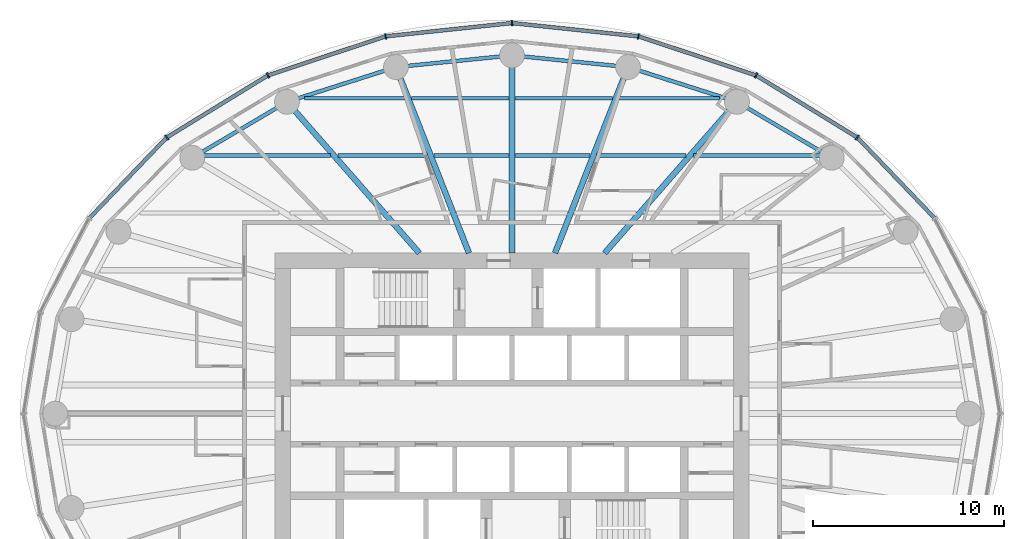
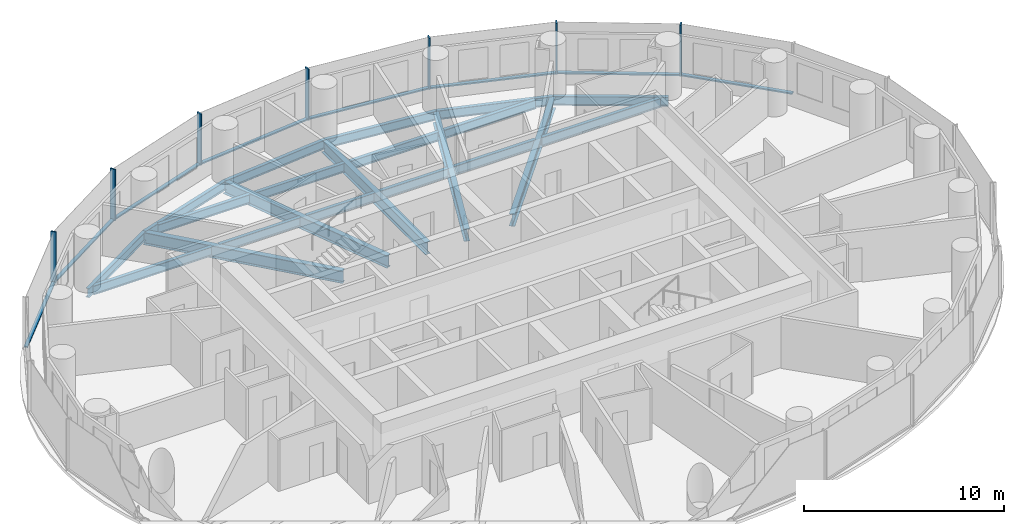
# One storey, part 4 of 13: 21 beams, 15 members, 2 elements without a shape of their own.
"""IFC4 building model written with IfcOpenShell, lengths in metres."""

from ifc_helpers import new_model, si_unit, direction, frame, origin, origin_2d, place, context, subcontext, project, spatial, rectangle, i_section, extrude, material, material_profile, profile_set, type_object, element, aggregate, save


model = new_model("IFC4")

# Units and contexts
model_context = context("Model", 3, precision=1e-05, world=origin(), true_north=direction((0.0, 1.0)))
body_context = subcontext(model_context, "Body", "Model", "MODEL_VIEW")
ifc_project = project(units=[si_unit("LENGTHUNIT", "METRE"), si_unit("AREAUNIT", "SQUARE_METRE"), si_unit("VOLUMEUNIT", "CUBIC_METRE"), si_unit("PLANEANGLEUNIT", "RADIAN"), si_unit("MASSUNIT", "GRAM", prefix="KILO")], contexts=[model_context])

# Site, building, storey
site_placement = place(None, origin())
site = spatial("IfcSite", under=ifc_project, at=site_placement, CompositionType="ELEMENT")
building_placement = place(site_placement, origin())
building = spatial("IfcBuilding", under=site, at=building_placement, Name="Hankou Lantern Tower", CompositionType="ELEMENT")
storey_placement = place(building_placement, frame((0.0, 0.0, 125.39990234375)))
storey = spatial("IfcBuildingStorey", under=building, at=storey_placement, Name="L32", CompositionType="ELEMENT", Elevation=125.39990234375)

# Beams
ifc_material_1 = material(Name="Steel Q355B", Category="steel")
ifc_material_profile_1 = material_profile(ifc_material_1, i_section(OverallWidth=0.199951171875, OverallDepth=0.550048828125, WebThickness=0.010009765625, FlangeThickness=0.01611328125, FilletRadius=0.012939453125, at=origin_2d()), Name="HN550x200x10x16")
ifc_profile_set_1 = profile_set([ifc_material_profile_1], Name="Steel Q355B")
beam_type_1 = type_object("IfcBeamType", Name="EB6 RING BEAM HN550x200x10x16", PredefinedType="SPANDREL", material=ifc_profile_set_1)
beam_1_placement = place(storey_placement, frame((16.73388671875, 13.38720703125, -0.454833984375), z_axis=(-0.860988974188, 0.508623619513, 0.0), x_axis=(-0.508623619513, -0.860988974188, 0.0)))
element("IfcBeam", 1, at=beam_1_placement, inside=storey, type_object=beam_type_1, Name="Ring beam R04-R05 L32", PredefinedType="SPANDREL", context=body_context, shape_type="SweptSolid", body=[
    extrude(i_section(OverallWidth=0.199951171875, OverallDepth=0.550048828125, WebThickness=0.010009765625, FlangeThickness=0.01611328125, FilletRadius=0.012939453125, at=origin_2d()), origin(), (0.0, 0.0, 1.0), 5.759033203125),
])
beam_2_placement = place(storey_placement, frame((11.775390625, 16.31640625, -0.454833984375), z_axis=(-0.952731090451, 0.303814860215, 0.0), x_axis=(-0.303814860215, -0.952731090451, 0.0)))
element("IfcBeam", 2, at=beam_2_placement, inside=storey, type_object=beam_type_1, Name="Ring beam R05-R06 L32", PredefinedType="SPANDREL", context=body_context, shape_type="SweptSolid", body=[
    extrude(i_section(OverallWidth=0.199951171875, OverallDepth=0.550048828125, WebThickness=0.010009765625, FlangeThickness=0.01611328125, FilletRadius=0.012939453125, at=origin_2d()), origin(), (0.0, 0.0, 1.0), 5.984375),
])
for number, where, z_axis, x_axis, name in (
    (3, (6.073974609375, 18.134521484375, -0.454833984375), (-0.994905271594, 0.100814188259, 0.0), (-0.100814188259, -0.994905271594, 0.0), "Ring beam R06-R07 L32"),
    (4, (0.0, 18.75, -0.454833984375), (-0.994905271594, -0.100814188259, 0.0), (0.100814188259, -0.994905271594, 0.0), "Ring beam R07-R08 L32"),
):
    element("IfcBeam", number, at=place(storey_placement, frame(where, z_axis=z_axis, x_axis=x_axis)), inside=storey, type_object=beam_type_1, Name=name, PredefinedType="SPANDREL", context=body_context, shape_type="SweptSolid", body=[
        extrude(i_section(OverallWidth=0.199951171875, OverallDepth=0.550048828125, WebThickness=0.010009765625, FlangeThickness=0.01611328125, FilletRadius=0.012939453125, at=origin_2d()), origin(), (0.0, 0.0, 1.0), 6.10498046875),
    ])
beam_3_placement = place(storey_placement, frame((-6.073974609375, 18.134521484375, -0.454833984375), z_axis=(-0.952731090451, -0.303814860215, 0.0), x_axis=(0.303814860215, -0.952731090451, 0.0)))
element("IfcBeam", 5, at=beam_3_placement, inside=storey, type_object=beam_type_1, Name="Ring beam R08-R09 L32", PredefinedType="SPANDREL", context=body_context, shape_type="SweptSolid", body=[
    extrude(i_section(OverallWidth=0.199951171875, OverallDepth=0.550048828125, WebThickness=0.010009765625, FlangeThickness=0.01611328125, FilletRadius=0.012939453125, at=origin_2d()), origin(), (0.0, 0.0, 1.0), 5.984375),
])
beam_4_placement = place(storey_placement, frame((-11.775390625, 16.31640625, -0.454833984375), z_axis=(-0.860988974188, -0.508623619513, 0.0), x_axis=(0.508623619513, -0.860988974188, 0.0)))
element("IfcBeam", 6, at=beam_4_placement, inside=storey, type_object=beam_type_1, Name="Ring beam R09-R10 L32", PredefinedType="SPANDREL", context=body_context, shape_type="SweptSolid", body=[
    extrude(i_section(OverallWidth=0.199951171875, OverallDepth=0.550048828125, WebThickness=0.010009765625, FlangeThickness=0.01611328125, FilletRadius=0.012939453125, at=origin_2d()), origin(), (0.0, 0.0, 1.0), 5.759033203125),
])

# Curtain wall, members
ifc_material_2 = material(Name="Glass, dark grey tinted laminated", Category="glass")
curtain_wall_type = type_object("IfcCurtainWallType", Name="CWB OUTER SKIN MID-RISE", PredefinedType="USERDEFINED", material=ifc_material_2)
curtain_wall_1_placement = place(storey_placement, origin())
curtain_wall_1 = element("IfcCurtainWall", 7, at=curtain_wall_1_placement, inside=storey, type_object=curtain_wall_type, Name="CWB L32 OS1", ObjectType="OUTER SKIN MID-RISE", PredefinedType="USERDEFINED")
ifc_material_3 = material(Name="Aluminium, black anodised", Category="aluminium")
ifc_material_profile_2 = material_profile(ifc_material_3, rectangle(XDim=0.080078125, YDim=0.300048828125, at=origin_2d()), Name="MU1 80X300")
ifc_profile_set_2 = profile_set([ifc_material_profile_2], Name="Aluminium, black anodised")
member_type_1 = type_object("IfcMemberType", Name="MU1 OUTER SKIN MULLION 80X300", PredefinedType="MULLION", material=ifc_profile_set_2)
member_1_placement = place(storey_placement, frame((18.066650390625, 14.453369140625, 0.0), z_axis=(0.0, 0.0, 1.0), x_axis=(-0.780868809444, 0.624695047553, 0.0)))
member_1 = element("IfcMember", 8, at=member_1_placement, type_object=member_type_1, Name="CWB mullion 4", PredefinedType="MULLION", context=body_context, shape_type="SweptSolid", body=[
    extrude(rectangle(XDim=0.080078125, YDim=0.300048828125, at=origin_2d()), origin(), (0.0, 0.0, 1.0), 3.1201171875),
])
member_2_placement = place(storey_placement, frame((12.77490234375, 17.70166015625, 0.0), z_axis=(0.0, 0.0, 1.0), x_axis=(-0.907841299004, 0.419313934686, 0.0)))
member_2 = element("IfcMember", 9, at=member_2_placement, type_object=member_type_1, Name="CWB mullion 5", PredefinedType="MULLION", context=body_context, shape_type="SweptSolid", body=[
    extrude(rectangle(XDim=0.080078125, YDim=0.300048828125, at=origin_2d()), origin(), (0.0, 0.0, 1.0), 3.1201171875),
])
member_3_placement = place(storey_placement, frame((6.61279296875, 19.743408203125, 0.0), z_axis=(0.0, 0.0, 1.0), x_axis=(-0.977787659625, 0.209597931016, 0.0)))
member_3 = element("IfcMember", 10, at=member_3_placement, type_object=member_type_1, Name="CWB mullion 6", PredefinedType="MULLION", context=body_context, shape_type="SweptSolid", body=[
    extrude(rectangle(XDim=0.080078125, YDim=0.300048828125, at=origin_2d()), origin(), (0.0, 0.0, 1.0), 3.1201171875),
])

curtain_wall_2_placement = place(storey_placement, origin())
curtain_wall_2 = element("IfcCurtainWall", 11, at=curtain_wall_2_placement, inside=storey, type_object=curtain_wall_type, Name="CWB L32 OS2", ObjectType="OUTER SKIN MID-RISE", PredefinedType="USERDEFINED")
member_4_placement = place(storey_placement, frame((0.0, 20.43994140625, 0.0), z_axis=(0.0, 0.0, 1.0), x_axis=(-0.994499359107, -0.104742659579, 0.0)))
member_4 = element("IfcMember", 12, at=member_4_placement, type_object=member_type_1, Name="CWB mullion 1", PredefinedType="MULLION", context=body_context, shape_type="SweptSolid", body=[
    extrude(rectangle(XDim=0.080078125, YDim=0.300048828125, at=origin_2d()), origin(), (0.0, 0.0, 1.0), 3.1201171875),
])
member_5_placement = place(storey_placement, frame((-6.61279296875, 19.743408203125, 0.0), z_axis=(0.0, 0.0, 1.0), x_axis=(-0.977787659625, -0.209597931016, 0.0)))
member_5 = element("IfcMember", 13, at=member_5_placement, type_object=member_type_1, Name="CWB mullion 2", PredefinedType="MULLION", context=body_context, shape_type="SweptSolid", body=[
    extrude(rectangle(XDim=0.080078125, YDim=0.300048828125, at=origin_2d()), origin(), (0.0, 0.0, 1.0), 3.1201171875),
])
member_6_placement = place(storey_placement, frame((-12.77490234375, 17.70166015625, 0.0), z_axis=(0.0, 0.0, 1.0), x_axis=(-0.907841299004, -0.419313934686, 0.0)))
member_6 = element("IfcMember", 14, at=member_6_placement, type_object=member_type_1, Name="CWB mullion 3", PredefinedType="MULLION", context=body_context, shape_type="SweptSolid", body=[
    extrude(rectangle(XDim=0.080078125, YDim=0.300048828125, at=origin_2d()), origin(), (0.0, 0.0, 1.0), 3.1201171875),
])
member_7_placement = place(storey_placement, frame((-18.066650390625, 14.453369140625, 0.0), z_axis=(0.0, 0.0, 1.0), x_axis=(-0.780868809444, -0.624695047553, 0.0)))
member_7 = element("IfcMember", 15, at=member_7_placement, type_object=member_type_1, Name="CWB mullion 4", PredefinedType="MULLION", context=body_context, shape_type="SweptSolid", body=[
    extrude(rectangle(XDim=0.080078125, YDim=0.300048828125, at=origin_2d()), origin(), (0.0, 0.0, 1.0), 3.1201171875),
])

# Beams
ifc_material_4 = material(Name="Steel Q355B", Category="steel")
ifc_material_profile_3 = material_profile(ifc_material_4, i_section(OverallWidth=0.300048828125, OverallDepth=0.75, WebThickness=0.012939453125, FlangeThickness=0.02392578125, FilletRadius=0.01806640625, at=origin_2d()), Name="HN750x300x13x24")
ifc_profile_set_3 = profile_set([ifc_material_profile_3], Name="Steel Q355B")
beam_type_2 = type_object("IfcBeamType", Name="RB10 RADIAL BEAM HN750x300x13x24", PredefinedType="BEAM", material=ifc_profile_set_3)
beam_5_placement = place(storey_placement, frame((4.849853515625, 8.39990234375, -0.554931640625), z_axis=(0.658429014446, 0.752642832249, 0.0), x_axis=(-0.752642832249, 0.658429014446, 0.0)))
element("IfcBeam", 16, at=beam_5_placement, inside=storey, type_object=beam_type_2, Name="Radial beam R05 L32", PredefinedType="BEAM", context=body_context, shape_type="SweptSolid", body=[
    extrude(i_section(OverallWidth=0.300048828125, OverallDepth=0.75, WebThickness=0.012939453125, FlangeThickness=0.02392578125, FilletRadius=0.01806640625, at=origin_2d()), origin(), (0.0, 0.0, 1.0), 10.518310546875),
])
beam_6_placement = place(storey_placement, frame((2.250732421875, 8.39990234375, -0.554931640625), z_axis=(0.365563535437, 0.930786388791, 0.0), x_axis=(-0.930786388791, 0.365563535437, 0.0)))
element("IfcBeam", 17, at=beam_6_placement, inside=storey, type_object=beam_type_2, Name="Radial beam R06 L32", PredefinedType="BEAM", context=body_context, shape_type="SweptSolid", body=[
    extrude(i_section(OverallWidth=0.300048828125, OverallDepth=0.75, WebThickness=0.012939453125, FlangeThickness=0.02392578125, FilletRadius=0.01806640625, at=origin_2d()), origin(), (0.0, 0.0, 1.0), 10.45849609375),
])
beam_7_placement = place(storey_placement, frame((0.0, 8.39990234375, -0.554931640625), z_axis=(0.0, 1.0, 0.0), x_axis=(-1.0, 0.0, 0.0)))
element("IfcBeam", 18, at=beam_7_placement, inside=storey, type_object=beam_type_2, Name="Radial beam R07 L32", PredefinedType="BEAM", context=body_context, shape_type="SweptSolid", body=[
    extrude(i_section(OverallWidth=0.300048828125, OverallDepth=0.75, WebThickness=0.012939453125, FlangeThickness=0.02392578125, FilletRadius=0.01806640625, at=origin_2d()), origin(), (0.0, 0.0, 1.0), 10.35009765625),
])
beam_8_placement = place(storey_placement, frame((-2.250732421875, 8.39990234375, -0.554931640625), z_axis=(-0.365563535437, 0.930786388791, 0.0), x_axis=(-0.930786388791, -0.365563535437, 0.0)))
element("IfcBeam", 19, at=beam_8_placement, inside=storey, type_object=beam_type_2, Name="Radial beam R08 L32", PredefinedType="BEAM", context=body_context, shape_type="SweptSolid", body=[
    extrude(i_section(OverallWidth=0.300048828125, OverallDepth=0.75, WebThickness=0.012939453125, FlangeThickness=0.02392578125, FilletRadius=0.01806640625, at=origin_2d()), origin(), (0.0, 0.0, 1.0), 10.45849609375),
])
beam_9_placement = place(storey_placement, frame((-4.849853515625, 8.39990234375, -0.554931640625), z_axis=(-0.658429014446, 0.752642832249, 0.0), x_axis=(-0.752642832249, -0.658429014446, 0.0)))
element("IfcBeam", 20, at=beam_9_placement, inside=storey, type_object=beam_type_2, Name="Radial beam R09 L32", PredefinedType="BEAM", context=body_context, shape_type="SweptSolid", body=[
    extrude(i_section(OverallWidth=0.300048828125, OverallDepth=0.75, WebThickness=0.012939453125, FlangeThickness=0.02392578125, FilletRadius=0.01806640625, at=origin_2d()), origin(), (0.0, 0.0, 1.0), 10.518310546875),
])
ifc_material_5 = material(Name="Steel Q355B", Category="steel")
ifc_material_profile_4 = material_profile(ifc_material_5, i_section(OverallWidth=0.199951171875, OverallDepth=0.550048828125, WebThickness=0.010009765625, FlangeThickness=0.01611328125, FilletRadius=0.012939453125, at=origin_2d()), Name="HN550x200x10x16")
ifc_profile_set_4 = profile_set([ifc_material_profile_4], Name="Steel Q355B")
beam_type_3 = type_object("IfcBeamType", Name="SB6 SECONDARY BEAM HN550x200x10x16", PredefinedType="JOIST", material=ifc_profile_set_4)
beam_10_placement = place(storey_placement, frame((-16.34619140625, 13.5, -0.454833984375), z_axis=(1.0, 0.0, 0.0), x_axis=(0.0, 1.0, 0.0)))
element("IfcBeam", 21, at=beam_10_placement, inside=storey, type_object=beam_type_3, Name="Floor joist J043 L32", PredefinedType="JOIST", context=body_context, shape_type="SweptSolid", body=[
    extrude(i_section(OverallWidth=0.199951171875, OverallDepth=0.550048828125, WebThickness=0.010009765625, FlangeThickness=0.01611328125, FilletRadius=0.012939453125, at=origin_2d()), origin(), (0.0, 0.0, 1.0), 6.83544921875),
])
beam_11_placement = place(storey_placement, frame((-9.112060546875, 13.5, -0.454833984375), z_axis=(1.0, 0.0, 0.0), x_axis=(0.0, 1.0, 0.0)))
element("IfcBeam", 22, at=beam_11_placement, inside=storey, type_object=beam_type_3, Name="Floor joist J044 L32", PredefinedType="JOIST", context=body_context, shape_type="SweptSolid", body=[
    extrude(i_section(OverallWidth=0.199951171875, OverallDepth=0.550048828125, WebThickness=0.010009765625, FlangeThickness=0.01611328125, FilletRadius=0.012939453125, at=origin_2d()), origin(), (0.0, 0.0, 1.0), 4.697021484375),
])
for number, where, z_axis, x_axis, name in (
    (23, (-4.092529296875, 13.5, -0.454833984375), (1.0, 0.0, 0.0), (0.0, 1.0, 0.0), "Floor joist J045 L32"),
    (24, (0.14990234375, 13.5, -0.454833984375), (1.0, 0.0, 0.0), (0.0, 1.0, 0.0), "Floor joist J046 L32"),
):
    element("IfcBeam", number, at=place(storey_placement, frame(where, z_axis=z_axis, x_axis=x_axis)), inside=storey, type_object=beam_type_3, Name=name, PredefinedType="JOIST", context=body_context, shape_type="SweptSolid", body=[
        extrude(i_section(OverallWidth=0.199951171875, OverallDepth=0.550048828125, WebThickness=0.010009765625, FlangeThickness=0.01611328125, FilletRadius=0.012939453125, at=origin_2d()), origin(), (0.0, 0.0, 1.0), 3.942626953125),
    ])
beam_12_placement = place(storey_placement, frame((4.4150390625, 13.5, -0.454833984375), z_axis=(1.0, 0.0, 0.0), x_axis=(0.0, 1.0, 0.0)))
element("IfcBeam", 25, at=beam_12_placement, inside=storey, type_object=beam_type_3, Name="Floor joist J047 L32", PredefinedType="JOIST", context=body_context, shape_type="SweptSolid", body=[
    extrude(i_section(OverallWidth=0.199951171875, OverallDepth=0.550048828125, WebThickness=0.010009765625, FlangeThickness=0.01611328125, FilletRadius=0.012939453125, at=origin_2d()), origin(), (0.0, 0.0, 1.0), 4.697021484375),
])
beam_13_placement = place(storey_placement, frame((9.5107421875, 13.5, -0.454833984375), z_axis=(1.0, 0.0, 0.0), x_axis=(0.0, 1.0, 0.0)))
element("IfcBeam", 26, at=beam_13_placement, inside=storey, type_object=beam_type_3, Name="Floor joist J048 L32", PredefinedType="JOIST", context=body_context, shape_type="SweptSolid", body=[
    extrude(i_section(OverallWidth=0.199951171875, OverallDepth=0.550048828125, WebThickness=0.010009765625, FlangeThickness=0.01611328125, FilletRadius=0.012939453125, at=origin_2d()), origin(), (0.0, 0.0, 1.0), 6.83544921875),
])
beam_14_placement = place(storey_placement, frame((-10.8701171875, 16.5, -0.454833984375), z_axis=(1.0, 0.0, 0.0), x_axis=(0.0, 1.0, 0.0)))
element("IfcBeam", 27, at=beam_14_placement, inside=storey, type_object=beam_type_3, Name="Floor joist J049 L32", PredefinedType="JOIST", context=body_context, shape_type="SweptSolid", body=[
    extrude(i_section(OverallWidth=0.199951171875, OverallDepth=0.550048828125, WebThickness=0.010009765625, FlangeThickness=0.01611328125, FilletRadius=0.012939453125, at=origin_2d()), origin(), (0.0, 0.0, 1.0), 5.27685546875),
])
for number, where, z_axis, x_axis, name in (
    (28, (-5.270751953125, 16.5, -0.454833984375), (1.0, 0.0, 0.0), (0.0, 1.0, 0.0), "Floor joist J050 L32"),
    (29, (0.14990234375, 16.5, -0.454833984375), (1.0, 0.0, 0.0), (0.0, 1.0, 0.0), "Floor joist J051 L32"),
):
    element("IfcBeam", number, at=place(storey_placement, frame(where, z_axis=z_axis, x_axis=x_axis)), inside=storey, type_object=beam_type_3, Name=name, PredefinedType="JOIST", context=body_context, shape_type="SweptSolid", body=[
        extrude(i_section(OverallWidth=0.199951171875, OverallDepth=0.550048828125, WebThickness=0.010009765625, FlangeThickness=0.01611328125, FilletRadius=0.012939453125, at=origin_2d()), origin(), (0.0, 0.0, 1.0), 5.120849609375),
    ])
beam_15_placement = place(storey_placement, frame((5.59326171875, 16.5, -0.454833984375), z_axis=(1.0, 0.0, 0.0), x_axis=(0.0, 1.0, 0.0)))
element("IfcBeam", 30, at=beam_15_placement, inside=storey, type_object=beam_type_3, Name="Floor joist J052 L32", PredefinedType="JOIST", context=body_context, shape_type="SweptSolid", body=[
    extrude(i_section(OverallWidth=0.199951171875, OverallDepth=0.550048828125, WebThickness=0.010009765625, FlangeThickness=0.01611328125, FilletRadius=0.012939453125, at=origin_2d()), origin(), (0.0, 0.0, 1.0), 5.27685546875),
])

# Member
ifc_material_6 = material(Name="Aluminium, black anodised", Category="aluminium")
ifc_material_profile_5 = material_profile(ifc_material_6, rectangle(XDim=0.199951171875, YDim=0.080078125, at=origin_2d()), Name="TR1 200X80")
ifc_profile_set_5 = profile_set([ifc_material_profile_5], Name="Aluminium, black anodised")
member_type_2 = type_object("IfcMemberType", Name="TR1 OUTER SKIN TRANSOM 200X80", PredefinedType="USERDEFINED", material=ifc_profile_set_5)
member_8_placement = place(storey_placement, frame((22.099365234375, 10.248779296875, 0.0400390625), z_axis=(-0.692226977748, 0.721679853729, 0.0), x_axis=(-0.721679853729, -0.692226977748, 0.0)))
member_8 = element("IfcMember", 31, at=member_8_placement, type_object=member_type_2, Name="CWB transom 3", ObjectType="TRANSOM", PredefinedType="USERDEFINED", context=body_context, shape_type="SweptSolid", body=[
    extrude(rectangle(XDim=0.199951171875, YDim=0.080078125, at=origin_2d()), origin(), (0.0, 0.0, 1.0), 5.785888671875),
])

member_9_placement = place(storey_placement, frame((18.032470703125, 14.47412109375, 0.0400390625), z_axis=(-0.852229492169, 0.523168130411, 0.0), x_axis=(-0.523168130411, -0.852229492169, 0.0)))
member_9 = element("IfcMember", 32, at=member_9_placement, type_object=member_type_2, Name="CWB transom 4", ObjectType="TRANSOM", PredefinedType="USERDEFINED", context=body_context, shape_type="SweptSolid", body=[
    extrude(rectangle(XDim=0.199951171875, YDim=0.080078125, at=origin_2d()), origin(), (0.0, 0.0, 1.0), 6.129150390625),
])

member_10_placement = place(storey_placement, frame((12.737060546875, 17.714111328125, 0.0400390625), z_axis=(-0.949237765745, 0.314559476225, 0.0), x_axis=(-0.314559476225, -0.949237765745, 0.0)))
member_10 = element("IfcMember", 33, at=member_10_placement, type_object=member_type_2, Name="CWB transom 5", ObjectType="TRANSOM", PredefinedType="USERDEFINED", context=body_context, shape_type="SweptSolid", body=[
    extrude(rectangle(XDim=0.199951171875, YDim=0.080078125, at=origin_2d()), origin(), (0.0, 0.0, 1.0), 6.41162109375),
])

member_11_placement = place(storey_placement, frame((6.572998046875, 19.747802734375, 0.0400390625), z_axis=(-0.994500972001, 0.10472734451, 0.0), x_axis=(-0.10472734451, -0.994500972001, 0.0)))
member_11 = element("IfcMember", 34, at=member_11_placement, type_object=member_type_2, Name="CWB transom 6", ObjectType="TRANSOM", PredefinedType="USERDEFINED", context=body_context, shape_type="SweptSolid", body=[
    extrude(rectangle(XDim=0.199951171875, YDim=0.080078125, at=origin_2d()), origin(), (0.0, 0.0, 1.0), 6.5693359375),
])

aggregate(curtain_wall_1, [member_1, member_2, member_3, member_8, member_9, member_10, member_11])

member_12_placement = place(storey_placement, frame((-0.039794921875, 20.435791015625, 0.0400390625), z_axis=(-0.994500972001, -0.10472734451, 0.0), x_axis=(0.10472734451, -0.994500972001, 0.0)))
member_12 = element("IfcMember", 35, at=member_12_placement, type_object=member_type_2, Name="CWB transom 1", ObjectType="TRANSOM", PredefinedType="USERDEFINED", context=body_context, shape_type="SweptSolid", body=[
    extrude(rectangle(XDim=0.199951171875, YDim=0.080078125, at=origin_2d()), origin(), (0.0, 0.0, 1.0), 6.5693359375),
])

member_13_placement = place(storey_placement, frame((-6.65087890625, 19.73095703125, 0.0400390625), z_axis=(-0.949237765745, -0.314559476225, 0.0), x_axis=(0.314559476225, -0.949237765745, 0.0)))
member_13 = element("IfcMember", 36, at=member_13_placement, type_object=member_type_2, Name="CWB transom 2", ObjectType="TRANSOM", PredefinedType="USERDEFINED", context=body_context, shape_type="SweptSolid", body=[
    extrude(rectangle(XDim=0.199951171875, YDim=0.080078125, at=origin_2d()), origin(), (0.0, 0.0, 1.0), 6.41162109375),
])

member_14_placement = place(storey_placement, frame((-12.80908203125, 17.6806640625, 0.0400390625), z_axis=(-0.852229492169, -0.523168130411, 0.0), x_axis=(0.523168130411, -0.852229492169, 0.0)))
member_14 = element("IfcMember", 37, at=member_14_placement, type_object=member_type_2, Name="CWB transom 3", ObjectType="TRANSOM", PredefinedType="USERDEFINED", context=body_context, shape_type="SweptSolid", body=[
    extrude(rectangle(XDim=0.199951171875, YDim=0.080078125, at=origin_2d()), origin(), (0.0, 0.0, 1.0), 6.129150390625),
])

member_15_placement = place(storey_placement, frame((-18.09423828125, 14.42431640625, 0.0400390625), z_axis=(-0.692226977748, -0.721679853729, 0.0), x_axis=(0.721679853729, -0.692226977748, 0.0)))
member_15 = element("IfcMember", 38, at=member_15_placement, type_object=member_type_2, Name="CWB transom 4", ObjectType="TRANSOM", PredefinedType="USERDEFINED", context=body_context, shape_type="SweptSolid", body=[
    extrude(rectangle(XDim=0.199951171875, YDim=0.080078125, at=origin_2d()), origin(), (0.0, 0.0, 1.0), 5.785888671875),
])

aggregate(curtain_wall_2, [member_4, member_5, member_6, member_7, member_12, member_13, member_14, member_15])

save(model, "model.ifc")
